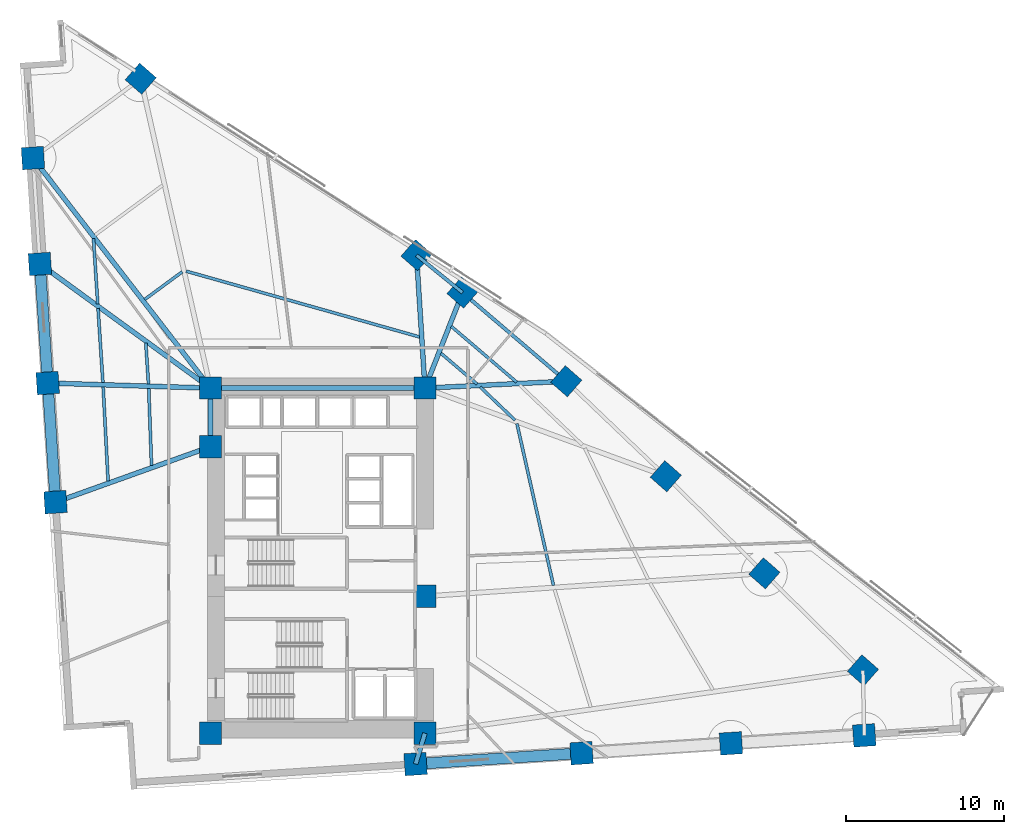
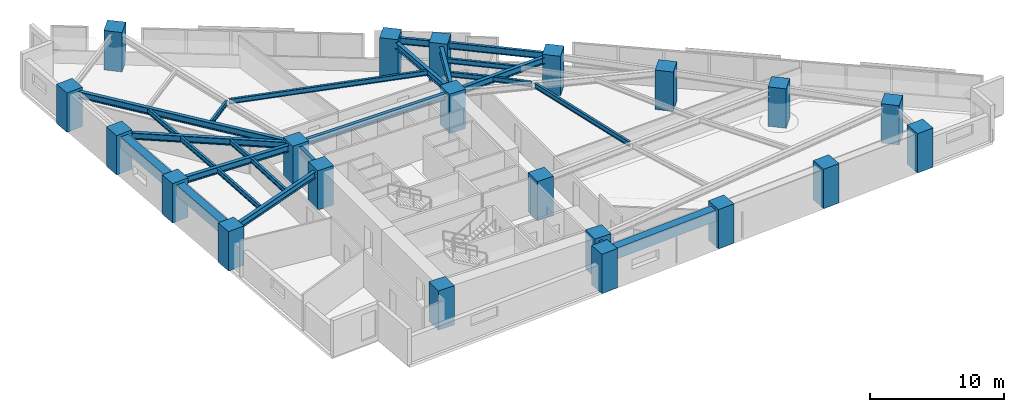
# One storey, part 1 of 16: 26 beams, 21 columns.
"""IFC4 building model written with IfcOpenShell, lengths in metres."""

from ifc_helpers import new_model, si_unit, direction, frame, origin, origin_2d, place, context, subcontext, project, spatial, rectangle, i_section, extrude, material, material_profile, profile_set, type_object, element, save


model = new_model("IFC4")

# Units and contexts
model_context = context("Model", 3, precision=1e-05, world=origin(), true_north=direction((0.0, 1.0)))
body_context = subcontext(model_context, "Body", "Model", "MODEL_VIEW")
ifc_project = project(units=[si_unit("LENGTHUNIT", "METRE"), si_unit("AREAUNIT", "SQUARE_METRE"), si_unit("VOLUMEUNIT", "CUBIC_METRE"), si_unit("PLANEANGLEUNIT", "RADIAN"), si_unit("MASSUNIT", "GRAM", prefix="KILO")], contexts=[model_context])

# Site, building, storey
site_placement = place(None, origin())
site = spatial("IfcSite", under=ifc_project, at=site_placement, CompositionType="ELEMENT")
building_placement = place(site_placement, origin())
building = spatial("IfcBuilding", under=site, at=building_placement, Name="Narakoshi Arena Tower", CompositionType="ELEMENT")
storey_placement = place(building_placement, frame((0.0, 0.0, 81.300048828125)))
storey = spatial("IfcBuildingStorey", under=building, at=storey_placement, Name="L21", CompositionType="ELEMENT", Elevation=81.300048828125)

# Columns
ifc_material_1 = material(Name="Concrete C60/75", Category="concrete")
ifc_material_profile_1 = material_profile(ifc_material_1, rectangle(XDim=1.39990234375, YDim=1.39990234375, at=origin_2d()), Name="RC1400x1400")
ifc_profile_set_1 = profile_set([ifc_material_profile_1], Name="Concrete C60/75")
column_type = type_object("IfcColumnType", Name="COL-RC1400", PredefinedType="COLUMN", material=ifc_profile_set_1)
for number, where, z_axis, x_axis, name in (
    (1, (72.0, 34.699951171875, 0.0), (0.0, 0.0, 1.0), (1.0, 0.0, 0.0), "L21 Core Structural Column CC1"),
    (2, (85.550048828125, 34.699951171875, 0.0), (0.0, 0.0, 1.0), (1.0, 0.0, 0.0), "L21 Core Structural Column CC2"),
    (3, (85.550048828125, 43.35009765625, 0.0), (0.0, 0.0, 1.0), (1.0, 0.0, 0.0), "L21 Core Structural Column CC3"),
    (4, (72.0, 52.800048828125, 0.0), (0.0, 0.0, 1.0), (1.0, 0.0, 0.0), "L21 Core Structural Column CC4"),
    (5, (72.0, 56.5, 0.0), (0.0, 0.0, 1.0), (1.0, 0.0, 0.0), "L21 Core Structural Column CC5"),
    (6, (85.550048828125, 56.5, 0.0), (0.0, 0.0, 1.0), (1.0, 0.0, 0.0), "L21 Core Structural Column CC6"),
    (7, (84.95703125, 32.7509765625, 0.0), (0.0, 0.0, 1.0), (0.997858923239, 0.06540312923, 0.0), "L21 Tower Perimeter Column TC01"),
    (8, (95.44189453125, 33.43798828125, 0.0), (0.0, 0.0, 1.0), (0.997858923239, 0.06540312923, 0.0), "L21 Tower Perimeter Column TC02"),
    (9, (104.8779296875, 34.056640625, 0.0), (0.0, 0.0, 1.0), (0.997858923239, 0.06540312923, 0.0), "L21 Tower Perimeter Column TC03"),
    (10, (113.299560546875, 34.5634765625, 0.0), (0.0, 0.0, 1.0), (0.997858923239, 0.06540312923, 0.0), "L21 Tower Perimeter Column TC04"),
    (11, (113.21630859375, 38.669189453125, 0.0), (0.0, 0.0, 1.0), (0.6593458151, 0.751839807479, 0.0), "L21 Tower Perimeter Column TC05"),
    (12, (106.989990234375, 44.800537109375, 0.0), (0.0, 0.0, 1.0), (0.6593458151, 0.751839807479, 0.0), "L21 Tower Perimeter Column TC06"),
    (13, (100.76318359375, 50.931640625, 0.0), (0.0, 0.0, 1.0), (0.6593458151, 0.751839807479, 0.0), "L21 Tower Perimeter Column TC07"),
    (14, (94.47900390625, 56.934814453125, 0.0), (0.0, 0.0, 1.0), (0.6593458151, 0.751839807479, 0.0), "L21 Tower Perimeter Column TC08"),
    (15, (87.922607421875, 62.534423828125, 0.0), (0.0, 0.0, 1.0), (0.6593458151, 0.751839807479, 0.0), "L21 Tower Perimeter Column TC09"),
    (16, (85.0146484375, 64.89794921875, 0.0), (0.0, 0.0, 1.0), (0.6593458151, 0.751839807479, 0.0), "L21 Tower Perimeter Column TC10"),
    (17, (67.58984375, 76.04345703125, 0.0), (0.0, 0.0, 1.0), (0.6593458151, 0.751839807479, 0.0), "L21 Tower Perimeter Column TC11"),
    (18, (60.785400390625, 71.031005859375, 0.0), (0.0, 0.0, 1.0), (-0.06540312923, 0.997858923239, 0.0), "L21 Tower Perimeter Column TC13"),
    (19, (61.223876953125, 64.343017578125, 0.0), (0.0, 0.0, 1.0), (-0.06540312923, 0.997858923239, 0.0), "L21 Tower Perimeter Column TC14"),
    (20, (61.716796875, 56.819091796875, 0.0), (0.0, 0.0, 1.0), (-0.06540312923, 0.997858923239, 0.0), "L21 Tower Perimeter Column TC15"),
    (21, (62.210205078125, 49.294921875, 0.0), (0.0, 0.0, 1.0), (-0.06540312923, 0.997858923239, 0.0), "L21 Tower Perimeter Column TC16"),
):
    element("IfcColumn", number, at=place(storey_placement, frame(where, z_axis=z_axis, x_axis=x_axis)), inside=storey, type_object=column_type, Name=name, PredefinedType="COLUMN", context=body_context, shape_type="SweptSolid", body=[
        extrude(rectangle(XDim=1.39990234375, YDim=1.39990234375, at=origin_2d()), origin(), (0.0, 0.0, 1.0), 3.599853515625),
    ])

# Beams
ifc_material_profile_2 = material_profile(ifc_material_1, rectangle(XDim=0.699951171875, YDim=1.0, at=origin_2d()), Name="RCB700x1000")
ifc_profile_set_2 = profile_set([ifc_material_profile_2], Name="Concrete C60/75")
beam_type_1 = type_object("IfcBeamType", Name="BM-CPL-1000", PredefinedType="BEAM", material=ifc_profile_set_2)
beam_1_placement = place(storey_placement, frame((84.95703125, 32.7509765625, 2.83984375), z_axis=(0.997860180992, 0.065383936788, 0.0), x_axis=(-0.065383936788, 0.997860180992, 0.0)))
element("IfcBeam", 22, at=beam_1_placement, inside=storey, type_object=beam_type_1, Name="L21 Perimeter Edge Girder 01", PredefinedType="BEAM", context=body_context, shape_type="SweptSolid", body=[
    extrude(rectangle(XDim=0.699951171875, YDim=1.0, at=origin_2d()), origin(), (0.0, 0.0, 1.0), 10.50732421875),
])
beam_2_placement = place(storey_placement, frame((61.223876953125, 64.343017578125, 2.83984375), z_axis=(0.065373518191, -0.997860863607, 0.0), x_axis=(0.997860863607, 0.065373518191, 0.0)))
element("IfcBeam", 23, at=beam_2_placement, inside=storey, type_object=beam_type_1, Name="L21 Perimeter Edge Girder 13", PredefinedType="BEAM", context=body_context, shape_type="SweptSolid", body=[
    extrude(rectangle(XDim=0.699951171875, YDim=1.0, at=origin_2d()), origin(), (0.0, 0.0, 1.0), 7.5400390625),
])
beam_3_placement = place(storey_placement, frame((61.716796875, 56.819091796875, 2.83984375), z_axis=(0.06543588513, -0.997856775764, 0.0), x_axis=(0.997856775764, 0.06543588513, 0.0)))
element("IfcBeam", 24, at=beam_3_placement, inside=storey, type_object=beam_type_1, Name="L21 Perimeter Edge Girder 14", PredefinedType="BEAM", context=body_context, shape_type="SweptSolid", body=[
    extrude(rectangle(XDim=0.699951171875, YDim=1.0, at=origin_2d()), origin(), (0.0, 0.0, 1.0), 7.540283203125),
])
ifc_material_2 = material(Name="Structural steel S355J2", Category="steel")
ifc_material_profile_3 = material_profile(ifc_material_2, i_section(OverallWidth=0.219970703125, OverallDepth=0.60009765625, WebThickness=0.011962890625, FlangeThickness=0.01904296875, FilletRadius=0.02392578125, at=origin_2d()), Name="IPE600")
ifc_profile_set_3 = profile_set([ifc_material_profile_3], Name="Structural steel S355J2")
beam_type_2 = type_object("IfcBeamType", Name="BM-EDGE-600", PredefinedType="BEAM", material=ifc_profile_set_3)
beam_4_placement = place(storey_placement, frame((94.47900390625, 56.934814453125, 3.0400390625), z_axis=(-0.760410675305, 0.649442533934, 0.0), x_axis=(-0.649442533934, -0.760410675305, 0.0)))
element("IfcBeam", 25, at=beam_4_placement, inside=storey, type_object=beam_type_2, Name="L21 Perimeter Edge Girder 08", PredefinedType="BEAM", context=body_context, shape_type="SweptSolid", body=[
    extrude(i_section(OverallWidth=0.219970703125, OverallDepth=0.60009765625, WebThickness=0.011962890625, FlangeThickness=0.01904296875, FilletRadius=0.02392578125, at=origin_2d()), origin(), (0.0, 0.0, 1.0), 8.6220703125),
])
beam_5_placement = place(storey_placement, frame((87.922607421875, 62.534423828125, 3.0400390625), z_axis=(-0.776008368668, 0.630722610786, 0.0), x_axis=(-0.630722610786, -0.776008368668, 0.0)))
element("IfcBeam", 26, at=beam_5_placement, inside=storey, type_object=beam_type_2, Name="L21 Perimeter Edge Girder 09", PredefinedType="BEAM", context=body_context, shape_type="SweptSolid", body=[
    extrude(i_section(OverallWidth=0.219970703125, OverallDepth=0.60009765625, WebThickness=0.011962890625, FlangeThickness=0.01904296875, FilletRadius=0.02392578125, at=origin_2d()), origin(), (0.0, 0.0, 1.0), 3.747314453125),
])
ifc_material_profile_4 = material_profile(ifc_material_2, i_section(OverallWidth=0.300048828125, OverallDepth=0.60009765625, WebThickness=0.015380859375, FlangeThickness=0.030029296875, FilletRadius=0.027099609375, at=origin_2d()), Name="HE600B")
ifc_profile_set_4 = profile_set([ifc_material_profile_4], Name="Structural steel S355J2")
beam_type_3 = type_object("IfcBeamType", Name="BM-PRI-600", PredefinedType="BEAM", material=ifc_profile_set_4)
beam_6_placement = place(storey_placement, frame((85.550048828125, 34.699951171875, 3.0400390625), z_axis=(-0.291094852197, -0.956694197236, 0.0), x_axis=(0.956694197236, -0.291094852197, 0.0)))
element("IfcBeam", 27, at=beam_6_placement, inside=storey, type_object=beam_type_3, Name="L21 Radial Primary Floor Girder 01", PredefinedType="BEAM", context=body_context, shape_type="SweptSolid", body=[
    extrude(i_section(OverallWidth=0.300048828125, OverallDepth=0.60009765625, WebThickness=0.015380859375, FlangeThickness=0.030029296875, FilletRadius=0.027099609375, at=origin_2d()), origin(), (0.0, 0.0, 1.0), 2.037109375),
])
beam_7_placement = place(storey_placement, frame((85.550048828125, 56.5, 3.0400390625), z_axis=(0.998816399631, 0.048639488359, 0.0), x_axis=(-0.048639488359, 0.998816399631, 0.0)))
element("IfcBeam", 28, at=beam_7_placement, inside=storey, type_object=beam_type_3, Name="L21 Radial Primary Floor Girder 08", PredefinedType="BEAM", context=body_context, shape_type="SweptSolid", body=[
    extrude(i_section(OverallWidth=0.300048828125, OverallDepth=0.60009765625, WebThickness=0.015380859375, FlangeThickness=0.030029296875, FilletRadius=0.027099609375, at=origin_2d()), origin(), (0.0, 0.0, 1.0), 8.939453125),
])
beam_8_placement = place(storey_placement, frame((85.550048828125, 56.5, 3.0400390625), z_axis=(0.365905149474, 0.930652148543, 0.0), x_axis=(-0.930652148543, 0.365905149474, 0.0)))
element("IfcBeam", 29, at=beam_8_placement, inside=storey, type_object=beam_type_3, Name="L21 Radial Primary Floor Girder 09", PredefinedType="BEAM", context=body_context, shape_type="SweptSolid", body=[
    extrude(i_section(OverallWidth=0.300048828125, OverallDepth=0.60009765625, WebThickness=0.015380859375, FlangeThickness=0.030029296875, FilletRadius=0.027099609375, at=origin_2d()), origin(), (0.0, 0.0, 1.0), 6.484130859375),
])
beam_9_placement = place(storey_placement, frame((85.550048828125, 56.5, 3.0400390625), z_axis=(-0.063624535653, 0.997973906704, 0.0), x_axis=(-0.997973906704, -0.063624535653, 0.0)))
element("IfcBeam", 30, at=beam_9_placement, inside=storey, type_object=beam_type_3, Name="L21 Radial Primary Floor Girder 10", PredefinedType="BEAM", context=body_context, shape_type="SweptSolid", body=[
    extrude(i_section(OverallWidth=0.300048828125, OverallDepth=0.60009765625, WebThickness=0.015380859375, FlangeThickness=0.030029296875, FilletRadius=0.027099609375, at=origin_2d()), origin(), (0.0, 0.0, 1.0), 8.4150390625),
])
beam_10_placement = place(storey_placement, frame((72.0, 56.5, 3.0400390625), z_axis=(-0.610973069948, 0.791651380216, 0.0), x_axis=(-0.791651380216, -0.610973069948, 0.0)))
element("IfcBeam", 31, at=beam_10_placement, inside=storey, type_object=beam_type_3, Name="L21 Radial Primary Floor Girder 12", PredefinedType="BEAM", context=body_context, shape_type="SweptSolid", body=[
    extrude(i_section(OverallWidth=0.300048828125, OverallDepth=0.60009765625, WebThickness=0.015380859375, FlangeThickness=0.030029296875, FilletRadius=0.027099609375, at=origin_2d()), origin(), (0.0, 0.0, 1.0), 18.355224609375),
])
beam_11_placement = place(storey_placement, frame((72.0, 56.5, 3.0400390625), z_axis=(-0.808527706159, 0.588458110976, 0.0), x_axis=(-0.588458110976, -0.808527706159, 0.0)))
element("IfcBeam", 32, at=beam_11_placement, inside=storey, type_object=beam_type_3, Name="L21 Radial Primary Floor Girder 13", PredefinedType="BEAM", context=body_context, shape_type="SweptSolid", body=[
    extrude(i_section(OverallWidth=0.300048828125, OverallDepth=0.60009765625, WebThickness=0.015380859375, FlangeThickness=0.030029296875, FilletRadius=0.027099609375, at=origin_2d()), origin(), (0.0, 0.0, 1.0), 13.328125),
])
beam_12_placement = place(storey_placement, frame((72.0, 56.5, 3.0400390625), z_axis=(-0.99951890487, 0.031015460795, 0.0), x_axis=(-0.031015460795, -0.99951890487, 0.0)))
element("IfcBeam", 33, at=beam_12_placement, inside=storey, type_object=beam_type_3, Name="L21 Radial Primary Floor Girder 14", PredefinedType="BEAM", context=body_context, shape_type="SweptSolid", body=[
    extrude(i_section(OverallWidth=0.300048828125, OverallDepth=0.60009765625, WebThickness=0.015380859375, FlangeThickness=0.030029296875, FilletRadius=0.027099609375, at=origin_2d()), origin(), (0.0, 0.0, 1.0), 10.2880859375),
])
beam_13_placement = place(storey_placement, frame((72.0, 52.800048828125, 3.0400390625), z_axis=(-0.941474424124, -0.33708442373, 0.0), x_axis=(0.33708442373, -0.941474424124, 0.0)))
element("IfcBeam", 34, at=beam_13_placement, inside=storey, type_object=beam_type_3, Name="L21 Radial Primary Floor Girder 15", PredefinedType="BEAM", context=body_context, shape_type="SweptSolid", body=[
    extrude(i_section(OverallWidth=0.300048828125, OverallDepth=0.60009765625, WebThickness=0.015380859375, FlangeThickness=0.030029296875, FilletRadius=0.027099609375, at=origin_2d()), origin(), (0.0, 0.0, 1.0), 10.3984375),
])
beam_14_placement = place(storey_placement, frame((72.0, 52.800048828125, 3.0400390625), z_axis=(0.0, 1.0, 0.0), x_axis=(-1.0, 0.0, 0.0)))
element("IfcBeam", 35, at=beam_14_placement, inside=storey, type_object=beam_type_3, Name="L21 Core Perimeter Frame Beam CC4-CC5", PredefinedType="BEAM", context=body_context, shape_type="SweptSolid", body=[
    extrude(i_section(OverallWidth=0.300048828125, OverallDepth=0.60009765625, WebThickness=0.015380859375, FlangeThickness=0.030029296875, FilletRadius=0.027099609375, at=origin_2d()), origin(), (0.0, 0.0, 1.0), 3.699951171875),
])
beam_15_placement = place(storey_placement, frame((72.0, 56.5, 3.0400390625), z_axis=(1.0, 0.0, 0.0), x_axis=(0.0, 1.0, 0.0)))
element("IfcBeam", 36, at=beam_15_placement, inside=storey, type_object=beam_type_3, Name="L21 Core Perimeter Frame Beam CC5-CC6", PredefinedType="BEAM", context=body_context, shape_type="SweptSolid", body=[
    extrude(i_section(OverallWidth=0.300048828125, OverallDepth=0.60009765625, WebThickness=0.015380859375, FlangeThickness=0.030029296875, FilletRadius=0.027099609375, at=origin_2d()), origin(), (0.0, 0.0, 1.0), 13.550048828125),
])
ifc_material_profile_5 = material_profile(ifc_material_2, i_section(OverallWidth=0.18994140625, OverallDepth=0.449951171875, WebThickness=0.009521484375, FlangeThickness=0.0146484375, FilletRadius=0.02099609375, at=origin_2d()), Name="IPE450")
ifc_profile_set_5 = profile_set([ifc_material_profile_5], Name="Structural steel S355J2")
beam_type_4 = type_object("IfcBeamType", Name="BM-SEC-450", PredefinedType="JOIST", material=ifc_profile_set_5)
beam_16_placement = place(storey_placement, frame((93.66748046875, 44.032958984375, 3.114990234375), z_axis=(-0.220193637199, 0.975456181557, 0.0), x_axis=(-0.975456181557, -0.220193637199, 0.0)))
element("IfcBeam", 37, at=beam_16_placement, inside=storey, type_object=beam_type_4, Name="L21 Composite Secondary Floor Joist 03", PredefinedType="JOIST", context=body_context, shape_type="SweptSolid", body=[
    extrude(i_section(OverallWidth=0.18994140625, OverallDepth=0.449951171875, WebThickness=0.009521484375, FlangeThickness=0.0146484375, FilletRadius=0.02099609375, at=origin_2d()), origin(), (0.0, 0.0, 1.0), 10.4765625),
])
beam_17_placement = place(storey_placement, frame((91.2333984375, 54.477294921875, 3.114990234375), z_axis=(-0.723064858901, 0.690780145793, 0.0), x_axis=(-0.690780145793, -0.723064858901, 0.0)))
element("IfcBeam", 38, at=beam_17_placement, inside=storey, type_object=beam_type_4, Name="L21 Composite Secondary Floor Joist 05", PredefinedType="JOIST", context=body_context, shape_type="SweptSolid", body=[
    extrude(i_section(OverallWidth=0.18994140625, OverallDepth=0.449951171875, WebThickness=0.009521484375, FlangeThickness=0.0146484375, FilletRadius=0.02099609375, at=origin_2d()), origin(), (0.0, 0.0, 1.0), 3.032470703125),
])
beam_18_placement = place(storey_placement, frame((88.84033203125, 56.7529296875, 3.114990234375), z_axis=(-0.760430490225, 0.649419332586, 0.0), x_axis=(-0.649419332586, -0.760430490225, 0.0)))
element("IfcBeam", 39, at=beam_18_placement, inside=storey, type_object=beam_type_4, Name="L21 Composite Secondary Floor Joist 07", PredefinedType="JOIST", context=body_context, shape_type="SweptSolid", body=[
    extrude(i_section(OverallWidth=0.18994140625, OverallDepth=0.449951171875, WebThickness=0.009521484375, FlangeThickness=0.0146484375, FilletRadius=0.02099609375, at=origin_2d()), origin(), (0.0, 0.0, 1.0), 3.00634765625),
])
beam_19_placement = place(storey_placement, frame((91.340576171875, 56.87451171875, 3.114990234375), z_axis=(-0.760412600049, 0.649440280308, 0.0), x_axis=(-0.649440280308, -0.760412600049, 0.0)))
element("IfcBeam", 40, at=beam_19_placement, inside=storey, type_object=beam_type_4, Name="L21 Composite Secondary Floor Joist 08", PredefinedType="JOIST", context=body_context, shape_type="SweptSolid", body=[
    extrude(i_section(OverallWidth=0.18994140625, OverallDepth=0.449951171875, WebThickness=0.009521484375, FlangeThickness=0.0146484375, FilletRadius=0.02099609375, at=origin_2d()), origin(), (0.0, 0.0, 1.0), 5.4208984375),
])
beam_20_placement = place(storey_placement, frame((85.216796875, 59.727783203125, 3.114990234375), z_axis=(-0.962479100605, 0.271355819725, 0.0), x_axis=(-0.271355819725, -0.962479100605, 0.0)))
element("IfcBeam", 41, at=beam_20_placement, inside=storey, type_object=beam_type_4, Name="L21 Composite Secondary Floor Joist 09", PredefinedType="JOIST", context=body_context, shape_type="SweptSolid", body=[
    extrude(i_section(OverallWidth=0.18994140625, OverallDepth=0.449951171875, WebThickness=0.009521484375, FlangeThickness=0.0146484375, FilletRadius=0.02099609375, at=origin_2d()), origin(), (0.0, 0.0, 1.0), 15.338134765625),
])
beam_21_placement = place(storey_placement, frame((70.215576171875, 63.846435546875, 3.114990234375), z_axis=(-0.805139271894, -0.59308578878, 0.0), x_axis=(0.59308578878, -0.805139271894, 0.0)))
element("IfcBeam", 42, at=beam_21_placement, inside=storey, type_object=beam_type_4, Name="L21 Composite Secondary Floor Joist 10", PredefinedType="JOIST", context=body_context, shape_type="SweptSolid", body=[
    extrude(i_section(OverallWidth=0.18994140625, OverallDepth=0.449951171875, WebThickness=0.009521484375, FlangeThickness=0.0146484375, FilletRadius=0.02099609375, at=origin_2d()), origin(), (0.0, 0.0, 1.0), 2.941650390625),
])
beam_22_placement = place(storey_placement, frame((64.607177734375, 65.955810546875, 3.114990234375), z_axis=(0.065418851064, -0.997857892651, 0.0), x_axis=(0.997857892651, 0.065418851064, 0.0)))
element("IfcBeam", 43, at=beam_22_placement, inside=storey, type_object=beam_type_4, Name="L21 Composite Secondary Floor Joist 12", PredefinedType="JOIST", context=body_context, shape_type="SweptSolid", body=[
    extrude(i_section(OverallWidth=0.18994140625, OverallDepth=0.449951171875, WebThickness=0.009521484375, FlangeThickness=0.0146484375, FilletRadius=0.02099609375, at=origin_2d()), origin(), (0.0, 0.0, 1.0), 4.153564453125),
])
beam_23_placement = place(storey_placement, frame((67.913818359375, 59.345703125, 3.114990234375), z_axis=(0.06537642983, -0.997860672851, 0.0), x_axis=(0.997860672851, 0.06537642983, 0.0)))
element("IfcBeam", 44, at=beam_23_placement, inside=storey, type_object=beam_type_4, Name="L21 Composite Secondary Floor Joist 13", PredefinedType="JOIST", context=body_context, shape_type="SweptSolid", body=[
    extrude(i_section(OverallWidth=0.18994140625, OverallDepth=0.449951171875, WebThickness=0.009521484375, FlangeThickness=0.0146484375, FilletRadius=0.02099609375, at=origin_2d()), origin(), (0.0, 0.0, 1.0), 2.595458984375),
])
beam_24_placement = place(storey_placement, frame((64.896484375, 61.541748046875, 3.114990234375), z_axis=(0.065410381182, -0.997858447894, 0.0), x_axis=(0.997858447894, 0.065410381182, 0.0)))
element("IfcBeam", 45, at=beam_24_placement, inside=storey, type_object=beam_type_4, Name="L21 Composite Secondary Floor Joist 14", PredefinedType="JOIST", context=body_context, shape_type="SweptSolid", body=[
    extrude(i_section(OverallWidth=0.18994140625, OverallDepth=0.449951171875, WebThickness=0.009521484375, FlangeThickness=0.0146484375, FilletRadius=0.02099609375, at=origin_2d()), origin(), (0.0, 0.0, 1.0), 4.70654296875),
])
beam_25_placement = place(storey_placement, frame((68.097412109375, 56.486328125, 3.114990234375), z_axis=(0.036322381291, -0.999340124591, 0.0), x_axis=(0.999340124591, 0.036322381291, 0.0)))
element("IfcBeam", 46, at=beam_25_placement, inside=storey, type_object=beam_type_4, Name="L21 Composite Secondary Floor Joist 15", PredefinedType="JOIST", context=body_context, shape_type="SweptSolid", body=[
    extrude(i_section(OverallWidth=0.18994140625, OverallDepth=0.449951171875, WebThickness=0.009521484375, FlangeThickness=0.0146484375, FilletRadius=0.02099609375, at=origin_2d()), origin(), (0.0, 0.0, 1.0), 4.886474609375),
])
beam_26_placement = place(storey_placement, frame((65.22021484375, 56.57568359375, 3.114990234375), z_axis=(0.052208510838, -0.998636205731, 0.0), x_axis=(0.998636205731, 0.052208510838, 0.0)))
element("IfcBeam", 47, at=beam_26_placement, inside=storey, type_object=beam_type_4, Name="L21 Composite Secondary Floor Joist 16", PredefinedType="JOIST", context=body_context, shape_type="SweptSolid", body=[
    extrude(i_section(OverallWidth=0.18994140625, OverallDepth=0.449951171875, WebThickness=0.009521484375, FlangeThickness=0.0146484375, FilletRadius=0.02099609375, at=origin_2d()), origin(), (0.0, 0.0, 1.0), 5.962158203125),
])

save(model, "model.ifc")
